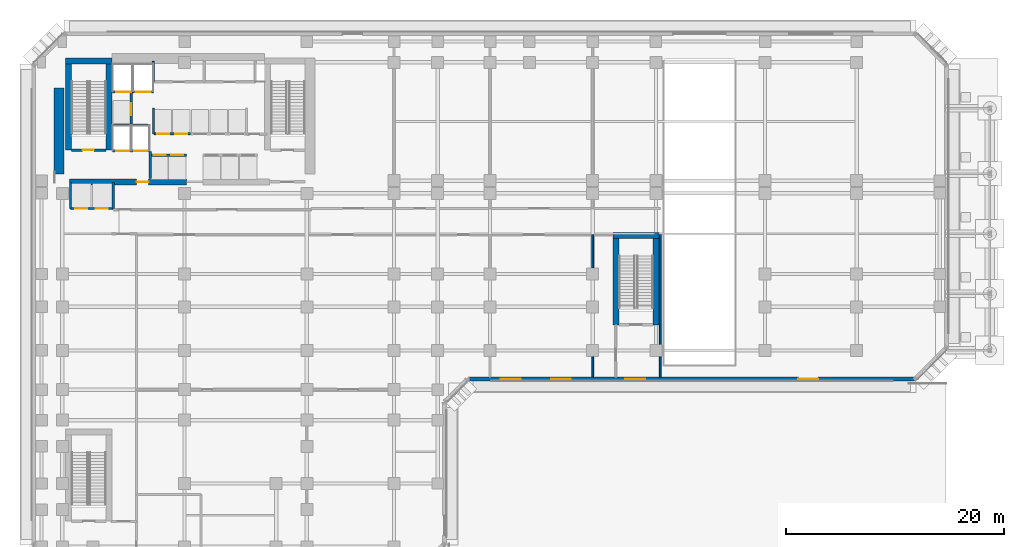
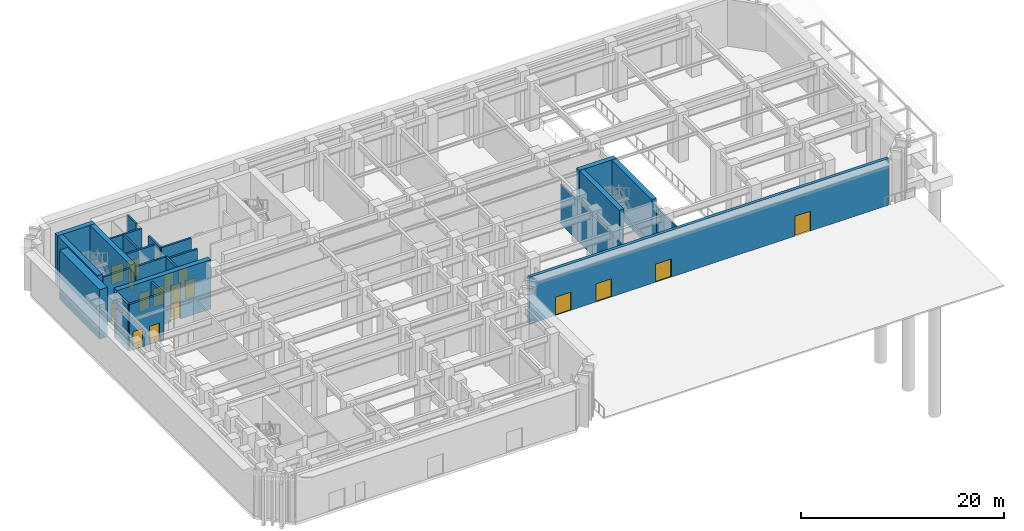
# One storey, part 8 of 18: 24 walls, 17 doors, 17 openings.
"""IFC4 building model written with IfcOpenShell, lengths in metres."""

from ifc_helpers import new_model, si_unit, direction, frame, frame_2d, origin, place, context, subcontext, project, spatial, rectangle, extrude, material, layer, layer_set, type_object, element, fill, save


model = new_model("IFC4")

# Units and contexts
model_context = context("Model", 3, precision=1e-05, world=origin(), true_north=direction((0.0, 1.0)))
body_context = subcontext(model_context, "Body", "Model", "MODEL_VIEW")
ifc_project = project(units=[si_unit("LENGTHUNIT", "METRE"), si_unit("AREAUNIT", "SQUARE_METRE"), si_unit("VOLUMEUNIT", "CUBIC_METRE"), si_unit("PLANEANGLEUNIT", "RADIAN"), si_unit("MASSUNIT", "GRAM", prefix="KILO")], contexts=[model_context])

# Site, building, storey
site_placement = place(None, origin())
site = spatial("IfcSite", under=ifc_project, at=site_placement, CompositionType="ELEMENT")
building_placement = place(site_placement, origin())
building = spatial("IfcBuilding", under=site, at=building_placement, Name="Kefirva Bronze Tower", CompositionType="ELEMENT")
storey_placement = place(building_placement, origin())
storey = spatial("IfcBuildingStorey", under=building, at=storey_placement, Name="L00", CompositionType="ELEMENT", Elevation=0.0)

# Wall, opening, door
ifc_material_1 = material(Name="Gypsum fireboard shaftwall")
ifc_layer_1 = layer(ifc_material_1, 0.219970703125, Name="Gypsum fireboard shaftwall")
ifc_layer_set_1 = layer_set([ifc_layer_1], Name="Gypsum fireboard shaftwall")
wall_type_1 = type_object("IfcWallType", Name="Fire-Rated Shaft Enclosure Wall 220mm", PredefinedType="PARTITIONING", material=ifc_layer_set_1)
wall_1_placement = place(storey_placement, frame((1.64990234375, 37.14990234375, 0.0), z_axis=(0.0, 0.0, 1.0), x_axis=(1.0, 0.0, 0.0)))
wall_1 = element("IfcWall", 1, at=wall_1_placement, inside=storey, type_object=wall_type_1, Name="L00 Partition W-L00-ST1S", PredefinedType="PARTITIONING", context=body_context, shape_type="SweptSolid", body=[
    extrude(rectangle(XDim=3.150146484375, YDim=0.219970703125, at=frame_2d((1.5751953125, 0.0))), origin(), (0.0, 0.0, 1.0), 5.6201171875),
])
opening_1_placement = place(wall_1_placement, frame((2.050048828125, 0.0, 0.0), z_axis=(0.0, 0.0, 1.0), x_axis=(-1.0, 0.0, 0.0)))
opening_1 = element("IfcOpeningElement", 2, at=opening_1_placement, cuts=wall_1, Name="Opening L00-D001", PredefinedType="OPENING", context=body_context, shape_type="SweptSolid", body=[
    extrude(rectangle(XDim=1.050048828125, YDim=2.14990234375, at=frame_2d((0.52490234375, 1.074951171875))), frame((0.0, 0.1201171875, 0.0), z_axis=(0.0, -1.0, 0.0), x_axis=(1.0, 0.0, 0.0)), (0.0, 0.0, 1.0), 0.239990234375),
])
ifc_material_2 = material(Name="Painted galvanized steel", Category="steel")
door_type_1 = type_object("IfcDoorType", Name="Fire Stair Enclosure Door 1050x2150 FD90S", OperationType="NOTDEFINED", PredefinedType="DOOR", material=ifc_material_2)
door_1_placement = place(opening_1_placement, origin())
door_1 = element("IfcDoor", 3, at=door_1_placement, inside=storey, type_object=door_type_1, Name="Door L00-D001", OperationType="SINGLE_SWING_RIGHT", OverallHeight=2.14990234375, OverallWidth=1.050048828125, PredefinedType="DOOR", context=body_context, shape_type="SweptSolid", body=[
    extrude(rectangle(XDim=1.050048828125, YDim=2.14990234375, at=frame_2d((0.52490234375, 1.074951171875))), frame((0.0, 0.02490234375, 0.0), z_axis=(0.0, -1.0, 0.0), x_axis=(1.0, 0.0, 0.0)), (0.0, 0.0, 1.0), 0.050048828125),
])
fill(opening_1, door_1)

# Wall, openings, doors
wall_2_placement = place(storey_placement, frame((5.3798828125, 37.080078125, 0.0), z_axis=(0.0, 0.0, 1.0), x_axis=(1.0, 0.0, 0.0)))
wall_2 = element("IfcWall", 4, at=wall_2_placement, inside=storey, type_object=wall_type_1, Name="L00 Partition W-L00-FFS", PredefinedType="PARTITIONING", context=body_context, shape_type="SweptSolid", body=[
    extrude(rectangle(XDim=3.460205078125, YDim=0.219970703125, at=frame_2d((1.72998046875, 0.0))), origin(), (0.0, 0.0, 1.0), 5.6201171875),
])
opening_2_placement = place(wall_2_placement, frame((1.550048828125, 0.0, 0.0), z_axis=(0.0, 0.0, 1.0), x_axis=(-1.0, 0.0, 0.0)))
opening_2 = element("IfcOpeningElement", 5, at=opening_2_placement, cuts=wall_2, Name="Opening L00-LD-FF1", PredefinedType="OPENING", context=body_context, shape_type="SweptSolid", body=[
    extrude(rectangle(XDim=1.199951171875, YDim=2.199951171875, at=frame_2d((0.60009765625, 1.10009765625))), frame((0.0, 0.1201171875, 0.0), z_axis=(0.0, -1.0, 0.0), x_axis=(1.0, 0.0, 0.0)), (0.0, 0.0, 1.0), 0.239990234375),
])
opening_3_placement = place(wall_2_placement, frame((3.219970703125, 0.0, 0.0), z_axis=(0.0, 0.0, 1.0), x_axis=(-1.0, 0.0, 0.0)))
opening_3 = element("IfcOpeningElement", 6, at=opening_3_placement, cuts=wall_2, Name="Opening L00-LD-FF2", PredefinedType="OPENING", context=body_context, shape_type="SweptSolid", body=[
    extrude(rectangle(XDim=1.199951171875, YDim=2.199951171875, at=frame_2d((0.60009765625, 1.10009765625))), frame((0.0, 0.1201171875, 0.0), z_axis=(0.0, -1.0, 0.0), x_axis=(1.0, 0.0, 0.0)), (0.0, 0.0, 1.0), 0.239990234375),
])
ifc_material_3 = material(Name="Stainless steel 316", Category="steel")
door_type_2 = type_object("IfcDoorType", Name="Firefighting Lift Sliding Door 1200x2200", OperationType="SLIDING_TO_RIGHT", PredefinedType="DOOR", material=ifc_material_3)
door_2_placement = place(opening_2_placement, origin())
door_2 = element("IfcDoor", 7, at=door_2_placement, inside=storey, type_object=door_type_2, Name="Door L00-LD-FF1", OperationType="SLIDING_TO_RIGHT", OverallHeight=2.199951171875, OverallWidth=1.199951171875, PredefinedType="DOOR", context=body_context, shape_type="SweptSolid", body=[
    extrude(rectangle(XDim=1.199951171875, YDim=2.199951171875, at=frame_2d((0.60009765625, 1.10009765625))), frame((0.0, 0.02490234375, 0.0), z_axis=(0.0, -1.0, 0.0), x_axis=(1.0, 0.0, 0.0)), (0.0, 0.0, 1.0), 0.050048828125),
])
fill(opening_2, door_2)
door_3_placement = place(opening_3_placement, origin())
door_3 = element("IfcDoor", 8, at=door_3_placement, inside=storey, type_object=door_type_2, Name="Door L00-LD-FF2", OperationType="SLIDING_TO_RIGHT", OverallHeight=2.199951171875, OverallWidth=1.199951171875, PredefinedType="DOOR", context=body_context, shape_type="SweptSolid", body=[
    extrude(rectangle(XDim=1.199951171875, YDim=2.199951171875, at=frame_2d((0.60009765625, 1.10009765625))), frame((0.0, 0.02490234375, 0.0), z_axis=(0.0, -1.0, 0.0), x_axis=(1.0, 0.0, 0.0)), (0.0, 0.0, 1.0), 0.050048828125),
])
fill(opening_3, door_3)

# Wall
wall_3_placement = place(storey_placement, frame((5.3798828125, 39.449951171875, 0.0), z_axis=(0.0, 0.0, 1.0), x_axis=(1.0, 0.0, 0.0)))
element("IfcWall", 9, at=wall_3_placement, inside=storey, type_object=wall_type_1, Name="L00 Partition W-L00-FFN", PredefinedType="PARTITIONING", context=body_context, shape_type="SweptSolid", body=[
    extrude(rectangle(XDim=3.460205078125, YDim=0.219970703125, at=frame_2d((1.72998046875, 0.0))), origin(), (0.0, 0.0, 1.0), 5.6201171875),
])

# Wall, openings, doors
wall_4_placement = place(storey_placement, frame((5.3798828125, 42.5, 0.0), z_axis=(0.0, 0.0, 1.0), x_axis=(1.0, 0.0, 0.0)))
wall_4 = element("IfcWall", 10, at=wall_4_placement, inside=storey, type_object=wall_type_1, Name="L00 Partition W-L00-SVS", PredefinedType="PARTITIONING", context=body_context, shape_type="SweptSolid", body=[
    extrude(rectangle(XDim=3.77001953125, YDim=0.219970703125, at=frame_2d((1.885009765625, 0.0))), origin(), (0.0, 0.0, 1.0), 5.6201171875),
])
opening_4_placement = place(wall_4_placement, frame((1.75, 0.0, 0.0), z_axis=(0.0, 0.0, 1.0), x_axis=(-1.0, 0.0, 0.0)))
opening_4 = element("IfcOpeningElement", 11, at=opening_4_placement, cuts=wall_4, Name="Opening L00-LD-SV1", PredefinedType="OPENING", context=body_context, shape_type="SweptSolid", body=[
    extrude(rectangle(XDim=1.39990234375, YDim=2.199951171875, at=frame_2d((0.699951171875, 1.10009765625))), frame((0.0, 0.1201171875, 0.0), z_axis=(0.0, -1.0, 0.0), x_axis=(1.0, 0.0, 0.0)), (0.0, 0.0, 1.0), 0.239990234375),
])
opening_5_placement = place(wall_4_placement, frame((3.52978515625, 0.0, 0.0), z_axis=(0.0, 0.0, 1.0), x_axis=(-1.0, 0.0, 0.0)))
opening_5 = element("IfcOpeningElement", 12, at=opening_5_placement, cuts=wall_4, Name="Opening L00-LD-SV2", PredefinedType="OPENING", context=body_context, shape_type="SweptSolid", body=[
    extrude(rectangle(XDim=1.39990234375, YDim=2.199951171875, at=frame_2d((0.699951171875, 1.10009765625))), frame((0.0, 0.1201171875, 0.0), z_axis=(0.0, -1.0, 0.0), x_axis=(1.0, 0.0, 0.0)), (0.0, 0.0, 1.0), 0.239990234375),
])
door_type_3 = type_object("IfcDoorType", Name="Goods Lift Bi-Parting Sliding Door 1400x2200", OperationType="SLIDING_TO_LEFT", PredefinedType="DOOR", material=ifc_material_3)
door_4_placement = place(opening_4_placement, origin())
door_4 = element("IfcDoor", 13, at=door_4_placement, inside=storey, type_object=door_type_3, Name="Door L00-LD-SV1", OperationType="SLIDING_TO_LEFT", OverallHeight=2.199951171875, OverallWidth=1.39990234375, PredefinedType="DOOR", context=body_context, shape_type="SweptSolid", body=[
    extrude(rectangle(XDim=1.39990234375, YDim=2.199951171875, at=frame_2d((0.699951171875, 1.10009765625))), frame((0.0, 0.02490234375, 0.0), z_axis=(0.0, -1.0, 0.0), x_axis=(1.0, 0.0, 0.0)), (0.0, 0.0, 1.0), 0.050048828125),
])
fill(opening_4, door_4)
door_5_placement = place(opening_5_placement, origin())
door_5 = element("IfcDoor", 14, at=door_5_placement, inside=storey, type_object=door_type_3, Name="Door L00-LD-SV2", OperationType="SLIDING_TO_LEFT", OverallHeight=2.199951171875, OverallWidth=1.39990234375, PredefinedType="DOOR", context=body_context, shape_type="SweptSolid", body=[
    extrude(rectangle(XDim=1.39990234375, YDim=2.199951171875, at=frame_2d((0.699951171875, 1.10009765625))), frame((0.0, 0.02490234375, 0.0), z_axis=(0.0, -1.0, 0.0), x_axis=(1.0, 0.0, 0.0)), (0.0, 0.0, 1.0), 0.050048828125),
])
fill(opening_5, door_5)

# Wall, opening, door
wall_5_placement = place(storey_placement, frame((7.10009765625, 39.52001953125, 0.0), z_axis=(0.0, 0.0, 1.0), x_axis=(0.0, 1.0, 0.0)))
wall_5 = element("IfcWall", 15, at=wall_5_placement, inside=storey, type_object=wall_type_1, Name="L00 Partition W-L00-HP3E", PredefinedType="PARTITIONING", context=body_context, shape_type="SweptSolid", body=[
    extrude(rectangle(XDim=2.929931640625, YDim=0.219970703125, at=frame_2d((1.46484375, 0.0))), origin(), (0.0, 0.0, 1.0), 5.6201171875),
])
opening_6_placement = place(wall_5_placement, frame((0.85009765625, 0.0, 0.0)))
opening_6 = element("IfcOpeningElement", 16, at=opening_6_placement, cuts=wall_5, Name="Opening L00-LD-HP3", PredefinedType="OPENING", context=body_context, shape_type="SweptSolid", body=[
    extrude(rectangle(XDim=1.10009765625, YDim=2.199951171875, at=frame_2d((0.550048828125, 1.10009765625))), frame((0.0, 0.1201171875, 0.0), z_axis=(0.0, -1.0, 0.0), x_axis=(1.0, 0.0, 0.0)), (0.0, 0.0, 1.0), 0.239990234375),
])
door_type_4 = type_object("IfcDoorType", Name="Passenger Lift Sliding Landing Door 1100x2200", OperationType="SLIDING_TO_LEFT", PredefinedType="DOOR", material=ifc_material_3)
door_6_placement = place(opening_6_placement, origin())
door_6 = element("IfcDoor", 17, at=door_6_placement, inside=storey, type_object=door_type_4, Name="Door L00-LD-HP3", OperationType="SLIDING_TO_LEFT", OverallHeight=2.199951171875, OverallWidth=1.10009765625, PredefinedType="DOOR", context=body_context, shape_type="SweptSolid", body=[
    extrude(rectangle(XDim=1.10009765625, YDim=2.199951171875, at=frame_2d((0.550048828125, 1.10009765625))), frame((0.0, 0.02490234375, 0.0), z_axis=(0.0, -1.0, 0.0), x_axis=(1.0, 0.0, 0.0)), (0.0, 0.0, 1.0), 0.050048828125),
])
fill(opening_6, door_6)

# Wall, openings, doors
wall_6_placement = place(storey_placement, frame((1.550048828125, 31.800048828125, 0.0), z_axis=(0.0, 0.0, 1.0), x_axis=(1.0, 0.0, 0.0)))
wall_6 = element("IfcWall", 18, at=wall_6_placement, inside=storey, type_object=wall_type_1, Name="L00 Partition W-L00-OBS", PredefinedType="PARTITIONING", context=body_context, shape_type="SweptSolid", body=[
    extrude(rectangle(XDim=3.89990234375, YDim=0.219970703125, at=frame_2d((1.949951171875, 0.0))), origin(), (0.0, 0.0, 1.0), 5.6201171875),
])
opening_7_placement = place(wall_6_placement, frame((1.52001953125, 0.0, 0.0), z_axis=(0.0, 0.0, 1.0), x_axis=(-1.0, 0.0, 0.0)))
opening_7 = element("IfcOpeningElement", 19, at=opening_7_placement, cuts=wall_6, Name="Opening L00-LD-OB1", PredefinedType="OPENING", context=body_context, shape_type="SweptSolid", body=[
    extrude(rectangle(XDim=1.10009765625, YDim=2.199951171875, at=frame_2d((0.550048828125, 1.10009765625))), frame((0.0, 0.1201171875, 0.0), z_axis=(0.0, -1.0, 0.0), x_axis=(1.0, 0.0, 0.0)), (0.0, 0.0, 1.0), 0.239990234375),
])
opening_8_placement = place(wall_6_placement, frame((3.420166015625, 0.0, 0.0), z_axis=(0.0, 0.0, 1.0), x_axis=(-1.0, 0.0, 0.0)))
opening_8 = element("IfcOpeningElement", 20, at=opening_8_placement, cuts=wall_6, Name="Opening L00-LD-OB2", PredefinedType="OPENING", context=body_context, shape_type="SweptSolid", body=[
    extrude(rectangle(XDim=1.10009765625, YDim=2.199951171875, at=frame_2d((0.550048828125, 1.10009765625))), frame((0.0, 0.1201171875, 0.0), z_axis=(0.0, -1.0, 0.0), x_axis=(1.0, 0.0, 0.0)), (0.0, 0.0, 1.0), 0.239990234375),
])
door_7_placement = place(opening_7_placement, origin())
door_7 = element("IfcDoor", 21, at=door_7_placement, inside=storey, type_object=door_type_4, Name="Door L00-LD-OB1", OperationType="SLIDING_TO_LEFT", OverallHeight=2.199951171875, OverallWidth=1.10009765625, PredefinedType="DOOR", context=body_context, shape_type="SweptSolid", body=[
    extrude(rectangle(XDim=1.10009765625, YDim=2.199951171875, at=frame_2d((0.550048828125, 1.10009765625))), frame((0.0, 0.02490234375, 0.0), z_axis=(0.0, -1.0, 0.0), x_axis=(1.0, 0.0, 0.0)), (0.0, 0.0, 1.0), 0.050048828125),
])
fill(opening_7, door_7)
door_8_placement = place(opening_8_placement, origin())
door_8 = element("IfcDoor", 22, at=door_8_placement, inside=storey, type_object=door_type_4, Name="Door L00-LD-OB2", OperationType="SLIDING_TO_LEFT", OverallHeight=2.199951171875, OverallWidth=1.10009765625, PredefinedType="DOOR", context=body_context, shape_type="SweptSolid", body=[
    extrude(rectangle(XDim=1.10009765625, YDim=2.199951171875, at=frame_2d((0.550048828125, 1.10009765625))), frame((0.0, 0.02490234375, 0.0), z_axis=(0.0, -1.0, 0.0), x_axis=(1.0, 0.0, 0.0)), (0.0, 0.0, 1.0), 0.050048828125),
])
fill(opening_8, door_8)

# Walls
for number, where, z_axis, x_axis, name in (
    (23, (1.550048828125, 31.800048828125, 0.0), (0.0, 0.0, 1.0), (0.0, 1.0, 0.0), "L00 Partition W-L00-OBW"),
    (24, (5.449951171875, 31.800048828125, 0.0), (0.0, 0.0, 1.0), (0.0, 1.0, 0.0), "L00 Partition W-L00-OBE"),
):
    element("IfcWall", number, at=place(storey_placement, frame(where, z_axis=z_axis, x_axis=x_axis)), inside=storey, type_object=wall_type_1, Name=name, PredefinedType="PARTITIONING", context=body_context, shape_type="SweptSolid", body=[
        extrude(rectangle(XDim=2.3798828125, YDim=0.219970703125, at=frame_2d((1.18994140625, 0.0))), origin(), (0.0, 0.0, 1.0), 5.6201171875),
    ])
wall_7_placement = place(storey_placement, frame((9.159912109375, 38.64990234375, 0.0), z_axis=(0.0, 0.0, 1.0), x_axis=(0.0, 1.0, 0.0)))
element("IfcWall", 25, at=wall_7_placement, inside=storey, type_object=wall_type_1, Name="L00 Partition W-L00-LP3W", PredefinedType="PARTITIONING", context=body_context, shape_type="SweptSolid", body=[
    extrude(rectangle(XDim=2.35009765625, YDim=0.199951171875, at=frame_2d((1.175048828125, 0.0))), origin(), (0.0, 0.0, 1.0), 5.6201171875),
])

# Wall, openings, doors
wall_8_placement = place(storey_placement, frame((8.89990234375, 36.699951171875, 0.0), z_axis=(0.0, 0.0, 1.0), x_axis=(1.0, 0.0, 0.0)))
wall_8 = element("IfcWall", 26, at=wall_8_placement, inside=storey, type_object=wall_type_1, Name="L00 Partition W-L00-LPS", PredefinedType="PARTITIONING", context=body_context, shape_type="SweptSolid", body=[
    extrude(rectangle(XDim=3.260009765625, YDim=0.219970703125, at=frame_2d((1.6298828125, 0.0))), origin(), (0.0, 0.0, 1.0), 5.6201171875),
])
opening_9_placement = place(wall_8_placement, frame((0.260009765625, 0.0, 0.0)))
opening_9 = element("IfcOpeningElement", 27, at=opening_9_placement, cuts=wall_8, Name="Opening L00-LD-LP1", PredefinedType="OPENING", context=body_context, shape_type="SweptSolid", body=[
    extrude(rectangle(XDim=1.10009765625, YDim=2.199951171875, at=frame_2d((0.550048828125, 1.10009765625))), frame((0.0, 0.1201171875, 0.0), z_axis=(0.0, -1.0, 0.0), x_axis=(1.0, 0.0, 0.0)), (0.0, 0.0, 1.0), 0.239990234375),
])
opening_10_placement = place(wall_8_placement, frame((1.8798828125, 0.0, 0.0)))
opening_10 = element("IfcOpeningElement", 28, at=opening_10_placement, cuts=wall_8, Name="Opening L00-LD-LP2", PredefinedType="OPENING", context=body_context, shape_type="SweptSolid", body=[
    extrude(rectangle(XDim=1.10009765625, YDim=2.199951171875, at=frame_2d((0.550048828125, 1.10009765625))), frame((0.0, 0.1201171875, 0.0), z_axis=(0.0, -1.0, 0.0), x_axis=(1.0, 0.0, 0.0)), (0.0, 0.0, 1.0), 0.239990234375),
])
door_9_placement = place(opening_9_placement, origin())
door_9 = element("IfcDoor", 29, at=door_9_placement, inside=storey, type_object=door_type_4, Name="Door L00-LD-LP1", OperationType="SLIDING_TO_LEFT", OverallHeight=2.199951171875, OverallWidth=1.10009765625, PredefinedType="DOOR", context=body_context, shape_type="SweptSolid", body=[
    extrude(rectangle(XDim=1.10009765625, YDim=2.199951171875, at=frame_2d((0.550048828125, 1.10009765625))), frame((0.0, 0.02490234375, 0.0), z_axis=(0.0, -1.0, 0.0), x_axis=(1.0, 0.0, 0.0)), (0.0, 0.0, 1.0), 0.050048828125),
])
fill(opening_9, door_9)
door_10_placement = place(opening_10_placement, origin())
door_10 = element("IfcDoor", 30, at=door_10_placement, inside=storey, type_object=door_type_4, Name="Door L00-LD-LP2", OperationType="SLIDING_TO_LEFT", OverallHeight=2.199951171875, OverallWidth=1.10009765625, PredefinedType="DOOR", context=body_context, shape_type="SweptSolid", body=[
    extrude(rectangle(XDim=1.10009765625, YDim=2.199951171875, at=frame_2d((0.550048828125, 1.10009765625))), frame((0.0, 0.02490234375, 0.0), z_axis=(0.0, -1.0, 0.0), x_axis=(1.0, 0.0, 0.0)), (0.0, 0.0, 1.0), 0.050048828125),
])
fill(opening_10, door_10)

wall_9_placement = place(storey_placement, frame((9.179931640625, 38.64990234375, 0.0), z_axis=(0.0, 0.0, 1.0), x_axis=(1.0, 0.0, 0.0)))
wall_9 = element("IfcWall", 31, at=wall_9_placement, inside=storey, type_object=wall_type_1, Name="L00 Partition W-L00-LPN", PredefinedType="PARTITIONING", context=body_context, shape_type="SweptSolid", body=[
    extrude(rectangle(XDim=3.380126953125, YDim=0.219970703125, at=frame_2d((1.68994140625, 0.0))), origin(), (0.0, 0.0, 1.0), 5.6201171875),
])
opening_11_placement = place(wall_9_placement, frame((0.300048828125, 0.0, 0.0)))
opening_11 = element("IfcOpeningElement", 32, at=opening_11_placement, cuts=wall_9, Name="Opening L00-LD-LP3", PredefinedType="OPENING", context=body_context, shape_type="SweptSolid", body=[
    extrude(rectangle(XDim=1.10009765625, YDim=2.199951171875, at=frame_2d((0.550048828125, 1.10009765625))), frame((0.0, 0.1201171875, 0.0), z_axis=(0.0, -1.0, 0.0), x_axis=(1.0, 0.0, 0.0)), (0.0, 0.0, 1.0), 0.239990234375),
])
opening_12_placement = place(wall_9_placement, frame((1.949951171875, 0.0, 0.0)))
opening_12 = element("IfcOpeningElement", 33, at=opening_12_placement, cuts=wall_9, Name="Opening L00-LD-LP4", PredefinedType="OPENING", context=body_context, shape_type="SweptSolid", body=[
    extrude(rectangle(XDim=1.10009765625, YDim=2.199951171875, at=frame_2d((0.550048828125, 1.10009765625))), frame((0.0, 0.1201171875, 0.0), z_axis=(0.0, -1.0, 0.0), x_axis=(1.0, 0.0, 0.0)), (0.0, 0.0, 1.0), 0.239990234375),
])
door_11_placement = place(opening_11_placement, origin())
door_11 = element("IfcDoor", 34, at=door_11_placement, inside=storey, type_object=door_type_4, Name="Door L00-LD-LP3", OperationType="SLIDING_TO_LEFT", OverallHeight=2.199951171875, OverallWidth=1.10009765625, PredefinedType="DOOR", context=body_context, shape_type="SweptSolid", body=[
    extrude(rectangle(XDim=1.10009765625, YDim=2.199951171875, at=frame_2d((0.550048828125, 1.10009765625))), frame((0.0, 0.02490234375, 0.0), z_axis=(0.0, -1.0, 0.0), x_axis=(1.0, 0.0, 0.0)), (0.0, 0.0, 1.0), 0.050048828125),
])
fill(opening_11, door_11)
door_12_placement = place(opening_12_placement, origin())
door_12 = element("IfcDoor", 35, at=door_12_placement, inside=storey, type_object=door_type_4, Name="Door L00-LD-LP4", OperationType="SLIDING_TO_LEFT", OverallHeight=2.199951171875, OverallWidth=1.10009765625, PredefinedType="DOOR", context=body_context, shape_type="SweptSolid", body=[
    extrude(rectangle(XDim=1.10009765625, YDim=2.199951171875, at=frame_2d((0.550048828125, 1.10009765625))), frame((0.0, 0.02490234375, 0.0), z_axis=(0.0, -1.0, 0.0), x_axis=(1.0, 0.0, 0.0)), (0.0, 0.0, 1.0), 0.050048828125),
])
fill(opening_12, door_12)

# Walls
ifc_material_4 = material(Name="Gypsum fireboard barrier")
ifc_layer_2 = layer(ifc_material_4, 0.199951171875, Name="Gypsum fireboard barrier")
ifc_layer_set_2 = layer_set([ifc_layer_2], Name="Gypsum fireboard barrier")
wall_type_2 = type_object("IfcWallType", Name="Firefighting Lobby Barrier Wall 200mm", PredefinedType="PARTITIONING", material=ifc_layer_set_2)
wall_10_placement = place(storey_placement, frame((8.860107421875, 34.550048828125, 0.0), z_axis=(0.0, 0.0, 1.0), x_axis=(0.0, 1.0, 0.0)))
element("IfcWall", 36, at=wall_10_placement, inside=storey, type_object=wall_type_2, Name="L00 Partition W-L00-FFLE", PredefinedType="PARTITIONING", context=body_context, shape_type="SweptSolid", body=[
    extrude(rectangle(XDim=2.5, YDim=0.199951171875, at=frame_2d((1.25, 0.0))), origin(), (0.0, 0.0, 1.0), 5.6201171875),
])
wall_11_placement = place(storey_placement, frame((55.60009765625, 16.360107421875, 0.0), z_axis=(0.0, 0.0, 1.0), x_axis=(0.0, 1.0, 0.0)))
element("IfcWall", 37, at=wall_11_placement, inside=storey, type_object=wall_type_2, Name="L00 Partition W-L00-ST4PE", PredefinedType="PARTITIONING", context=body_context, shape_type="SweptSolid", body=[
    extrude(rectangle(XDim=13.039794921875, YDim=0.159912109375, at=frame_2d((6.52001953125, 0.0))), origin(), (0.0, 0.0, 1.0), 4.804931640625),
])

# Wall, openings, doors
ifc_material_5 = material(Name="Precast concrete C40/50", Category="concrete")
ifc_layer_3 = layer(ifc_material_5, 0.360107421875, Name="Precast concrete C40/50")
ifc_layer_set_3 = layer_set([ifc_layer_3], Name="Precast concrete C40/50")
wall_type_3 = type_object("IfcWallType", Name="Precast Podium Facade Wall 360mm", PredefinedType="SOLIDWALL", material=ifc_layer_set_3)
wall_12_placement = place(storey_placement, frame((38.054931640625, 16.179931640625, 0.0), z_axis=(0.0, 0.0, 1.0), x_axis=(1.0, 0.0, 0.0)))
wall_12 = element("IfcWall", 38, at=wall_12_placement, inside=storey, type_object=wall_type_3, Name="L00 Exterior Facade Wall 5", PredefinedType="SOLIDWALL", context=body_context, shape_type="SweptSolid", body=[
    extrude(rectangle(XDim=40.89013671875, YDim=0.360107421875, at=frame_2d((20.445068359375, 0.0))), origin(), (0.0, 0.0, 1.0), 5.6201171875),
])
opening_13_placement = place(wall_12_placement, frame((4.7451171875, 0.0, 0.0), z_axis=(0.0, 0.0, 1.0), x_axis=(-1.0, 0.0, 0.0)))
opening_13 = element("IfcOpeningElement", 39, at=opening_13_placement, cuts=wall_12, Name="Opening D-EX2", PredefinedType="OPENING", context=body_context, shape_type="SweptSolid", body=[
    extrude(rectangle(XDim=1.800048828125, YDim=2.199951171875, at=frame_2d((0.89990234375, 1.10009765625))), frame((0.0, 0.18994140625, 0.0), z_axis=(0.0, -1.0, 0.0), x_axis=(1.0, 0.0, 0.0)), (0.0, 0.0, 1.0), 0.380126953125),
])
opening_14_placement = place(wall_12_placement, frame((9.344970703125, 0.0, 0.0), z_axis=(0.0, 0.0, 1.0), x_axis=(-1.0, 0.0, 0.0)))
opening_14 = element("IfcOpeningElement", 40, at=opening_14_placement, cuts=wall_12, Name="Opening D-EX2", PredefinedType="OPENING", context=body_context, shape_type="SweptSolid", body=[
    extrude(rectangle(XDim=1.800048828125, YDim=2.199951171875, at=frame_2d((0.89990234375, 1.10009765625))), frame((0.0, 0.18994140625, 0.0), z_axis=(0.0, -1.0, 0.0), x_axis=(1.0, 0.0, 0.0)), (0.0, 0.0, 1.0), 0.380126953125),
])
opening_15_placement = place(wall_12_placement, frame((16.14501953125, 0.0, 0.0), z_axis=(0.0, 0.0, 1.0), x_axis=(-1.0, 0.0, 0.0)))
opening_15 = element("IfcOpeningElement", 41, at=opening_15_placement, cuts=wall_12, Name="Opening D-EX2", PredefinedType="OPENING", context=body_context, shape_type="SweptSolid", body=[
    extrude(rectangle(XDim=1.800048828125, YDim=2.199951171875, at=frame_2d((0.89990234375, 1.10009765625))), frame((0.0, 0.18994140625, 0.0), z_axis=(0.0, -1.0, 0.0), x_axis=(1.0, 0.0, 0.0)), (0.0, 0.0, 1.0), 0.380126953125),
])
opening_16_placement = place(wall_12_placement, frame((32.0, 0.0, 0.0), z_axis=(0.0, 0.0, 1.0), x_axis=(-1.0, 0.0, 0.0)))
opening_16 = element("IfcOpeningElement", 42, at=opening_16_placement, cuts=wall_12, Name="Opening D-EX1", PredefinedType="OPENING", context=body_context, shape_type="SweptSolid", body=[
    extrude(rectangle(XDim=1.800048828125, YDim=2.39990234375, at=frame_2d((0.89990234375, 1.199951171875))), frame((0.0, 0.18994140625, 0.0), z_axis=(0.0, -1.0, 0.0), x_axis=(1.0, 0.0, 0.0)), (0.0, 0.0, 1.0), 0.380126953125),
])
ifc_material_6 = material(Name="Bronze anodised aluminium", Category="aluminium")
door_type_5 = type_object("IfcDoorType", Name="Exterior Ground Stair Discharge Door 1800x2200", OperationType="DOUBLE_DOOR_SINGLE_SWING", PredefinedType="DOOR", material=ifc_material_6)
door_13_placement = place(opening_13_placement, origin())
door_13 = element("IfcDoor", 43, at=door_13_placement, inside=storey, type_object=door_type_5, Name="L00 Rear Core Plaza Discharge Door 1", OperationType="DOUBLE_DOOR_SINGLE_SWING", OverallHeight=2.199951171875, OverallWidth=1.800048828125, PredefinedType="DOOR", context=body_context, shape_type="SweptSolid", body=[
    extrude(rectangle(XDim=1.800048828125, YDim=2.199951171875, at=frame_2d((0.89990234375, 1.10009765625))), frame((0.0, 0.02490234375, 0.0), z_axis=(0.0, -1.0, 0.0), x_axis=(1.0, 0.0, 0.0)), (0.0, 0.0, 1.0), 0.050048828125),
])
fill(opening_13, door_13)
door_14_placement = place(opening_14_placement, origin())
door_14 = element("IfcDoor", 44, at=door_14_placement, inside=storey, type_object=door_type_5, Name="L00 Rear Core Plaza Discharge Door 2", OperationType="DOUBLE_DOOR_SINGLE_SWING", OverallHeight=2.199951171875, OverallWidth=1.800048828125, PredefinedType="DOOR", context=body_context, shape_type="SweptSolid", body=[
    extrude(rectangle(XDim=1.800048828125, YDim=2.199951171875, at=frame_2d((0.89990234375, 1.10009765625))), frame((0.0, 0.02490234375, 0.0), z_axis=(0.0, -1.0, 0.0), x_axis=(1.0, 0.0, 0.0)), (0.0, 0.0, 1.0), 0.050048828125),
])
fill(opening_14, door_14)
door_15_placement = place(opening_15_placement, origin())
door_15 = element("IfcDoor", 45, at=door_15_placement, inside=storey, type_object=door_type_5, Name="L00 Stair 4 Direct Exterior Exit Door", OperationType="DOUBLE_DOOR_SINGLE_SWING", OverallHeight=2.199951171875, OverallWidth=1.800048828125, PredefinedType="DOOR", context=body_context, shape_type="SweptSolid", body=[
    extrude(rectangle(XDim=1.800048828125, YDim=2.199951171875, at=frame_2d((0.89990234375, 1.10009765625))), frame((0.0, 0.02490234375, 0.0), z_axis=(0.0, -1.0, 0.0), x_axis=(1.0, 0.0, 0.0)), (0.0, 0.0, 1.0), 0.050048828125),
])
fill(opening_15, door_15)
door_type_6 = type_object("IfcDoorType", Name="Exterior Plaza Double Entrance Door 1800x2400", OperationType="DOUBLE_DOOR_SINGLE_SWING", PredefinedType="DOOR", material=ifc_material_6)
door_16_placement = place(opening_16_placement, origin())
door_16 = element("IfcDoor", 46, at=door_16_placement, inside=storey, type_object=door_type_6, Name="L00 Visitor Gallery Plaza Door 4", OperationType="DOUBLE_DOOR_SINGLE_SWING", OverallHeight=2.39990234375, OverallWidth=1.800048828125, PredefinedType="DOOR", context=body_context, shape_type="SweptSolid", body=[
    extrude(rectangle(XDim=1.800048828125, YDim=2.39990234375, at=frame_2d((0.89990234375, 1.199951171875))), frame((0.0, 0.02490234375, 0.0), z_axis=(0.0, -1.0, 0.0), x_axis=(1.0, 0.0, 0.0)), (0.0, 0.0, 1.0), 0.050048828125),
])
fill(opening_16, door_16)

# Walls
ifc_material_7 = material(Name="Gypsum acoustic partition")
ifc_layer_4 = layer(ifc_material_7, 0.159912109375, Name="Gypsum acoustic partition")
ifc_layer_set_4 = layer_set([ifc_layer_4], Name="Gypsum acoustic partition")
wall_type_4 = type_object("IfcWallType", Name="Protected Corridor Partition 160mm", PredefinedType="PARTITIONING", material=ifc_layer_set_4)
wall_13_placement = place(storey_placement, frame((49.39990234375, 16.360107421875, 0.0), z_axis=(0.0, 0.0, 1.0), x_axis=(0.0, 1.0, 0.0)))
element("IfcWall", 47, at=wall_13_placement, inside=storey, type_object=wall_type_4, Name="L00 Partition W-L00-VISE", PredefinedType="PARTITIONING", context=body_context, shape_type="SweptSolid", body=[
    extrude(rectangle(XDim=13.039794921875, YDim=0.159912109375, at=frame_2d((6.52001953125, 0.0))), origin(), (0.0, 0.0, 1.0), 4.804931640625),
])
ifc_material_8 = material(Name="Concrete C50/60", Category="concrete")
ifc_layer_5 = layer(ifc_material_8, 0.550048828125, Name="Concrete C50/60")
ifc_layer_set_5 = layer_set([ifc_layer_5], Name="Concrete C50/60")
wall_type_5 = type_object("IfcWallType", Name="RC Rear Core Interior Wall 550mm", PredefinedType="SHEAR", material=ifc_layer_set_5)
for number, where, z_axis, x_axis, name in (
    (48, (1.3701171875, 37.14990234375, 0.0), (0.0, 0.0, 1.0), (0.0, 1.0, 0.0), "L00 Stair 1 West Shear Wall"),
    (49, (5.070068359375, 37.14990234375, 0.0), (0.0, 0.0, 1.0), (0.0, 1.0, 0.0), "L00 Stair 1 East Shear Wall"),
):
    element("IfcWall", number, at=place(storey_placement, frame(where, z_axis=z_axis, x_axis=x_axis)), inside=storey, type_object=wall_type_5, Name=name, PredefinedType="SHEAR", context=body_context, shape_type="SweptSolid", body=[
        extrude(rectangle(XDim=7.89013671875, YDim=0.550048828125, at=frame_2d((3.945068359375, 0.0))), origin(), (0.0, 0.0, 1.0), 5.93994140625),
    ])
wall_14_placement = place(storey_placement, frame((1.10009765625, 45.320068359375, 0.0), z_axis=(0.0, 0.0, 1.0), x_axis=(1.0, 0.0, 0.0)))
element("IfcWall", 50, at=wall_14_placement, inside=storey, type_object=wall_type_5, Name="L00 Stair 1 North Shear Wall", PredefinedType="SHEAR", context=body_context, shape_type="SweptSolid", body=[
    extrude(rectangle(XDim=4.239990234375, YDim=0.550048828125, at=frame_2d((2.1201171875, 0.0))), origin(), (0.0, 0.0, 1.0), 5.93994140625),
])
for number, where, z_axis, x_axis, name in (
    (51, (51.52001953125, 21.14990234375, 0.0), (0.0, 0.0, 1.0), (0.0, 1.0, 0.0), "L00 Stair 4 West Shear Wall"),
    (52, (55.219970703125, 21.14990234375, 0.0), (0.0, 0.0, 1.0), (0.0, 1.0, 0.0), "L00 Stair 4 East Shear Wall"),
):
    element("IfcWall", number, at=place(storey_placement, frame(where, z_axis=z_axis, x_axis=x_axis)), inside=storey, type_object=wall_type_5, Name=name, PredefinedType="SHEAR", context=body_context, shape_type="SweptSolid", body=[
        extrude(rectangle(XDim=7.89013671875, YDim=0.550048828125, at=frame_2d((3.945068359375, 0.0))), origin(), (0.0, 0.0, 1.0), 5.93994140625),
    ])
wall_15_placement = place(storey_placement, frame((51.25, 29.320068359375, 0.0), z_axis=(0.0, 0.0, 1.0), x_axis=(1.0, 0.0, 0.0)))
element("IfcWall", 53, at=wall_15_placement, inside=storey, type_object=wall_type_5, Name="L00 Stair 4 North Shear Wall", PredefinedType="SHEAR", context=body_context, shape_type="SweptSolid", body=[
    extrude(rectangle(XDim=4.239990234375, YDim=0.550048828125, at=frame_2d((2.1201171875, 0.0))), origin(), (0.0, 0.0, 1.0), 5.93994140625),
])
ifc_material_9 = material(Name="Concrete C60/75", Category="concrete")
ifc_layer_6 = layer(ifc_material_9, 0.89990234375, Name="Concrete C60/75")
ifc_layer_set_6 = layer_set([ifc_layer_6], Name="Concrete C60/75")
wall_type_6 = type_object("IfcWallType", Name="RC Rear Core Interior Wall 900mm", PredefinedType="SHEAR", material=ifc_layer_set_6)
wall_16_placement = place(storey_placement, frame((0.5, 34.949951171875, 0.0), z_axis=(0.0, 0.0, 1.0), x_axis=(0.0, 1.0, 0.0)))
element("IfcWall", 54, at=wall_16_placement, inside=storey, type_object=wall_type_6, Name="L00 Rear Core West Shear Wall", PredefinedType="SHEAR", context=body_context, shape_type="SweptSolid", body=[
    extrude(rectangle(XDim=7.900146484375, YDim=0.89990234375, at=frame_2d((3.9501953125, 0.0))), origin(), (0.0, 0.0, 1.0), 5.93994140625),
])

# Wall, opening, door
wall_17_placement = place(storey_placement, frame((1.449951171875, 34.25, 0.0), z_axis=(0.0, 0.0, 1.0), x_axis=(1.0, 0.0, 0.0)))
wall_17 = element("IfcWall", 55, at=wall_17_placement, inside=storey, type_object=wall_type_6, Name="L00 Rear Core South-West Shear Wall", PredefinedType="SHEAR", context=body_context, shape_type="SweptSolid", body=[
    extrude(rectangle(XDim=10.7099609375, YDim=0.550048828125, at=frame_2d((5.35498046875, 0.0))), origin(), (0.0, 0.0, 1.0), 5.93994140625),
])
opening_17_placement = place(wall_17_placement, frame((7.25, 0.0, 0.0), z_axis=(0.0, 0.0, 1.0), x_axis=(-1.0, 0.0, 0.0)))
opening_17 = element("IfcOpeningElement", 56, at=opening_17_placement, cuts=wall_17, Name="Opening L00-D002", PredefinedType="OPENING", context=body_context, shape_type="SweptSolid", body=[
    extrude(rectangle(XDim=1.10009765625, YDim=2.14990234375, at=frame_2d((0.550048828125, 1.074951171875))), frame((0.0, 0.28515625, 0.0), z_axis=(0.0, -1.0, 0.0), x_axis=(1.0, 0.0, 0.0)), (0.0, 0.0, 1.0), 0.570068359375),
])
door_type_7 = type_object("IfcDoorType", Name="Firefighting Lobby Smoke Door 1100x2150 FD60S", OperationType="NOTDEFINED", PredefinedType="DOOR", material=ifc_material_2)
door_17_placement = place(opening_17_placement, origin())
door_17 = element("IfcDoor", 57, at=door_17_placement, inside=storey, type_object=door_type_7, Name="Door L00-D002", OperationType="SINGLE_SWING_LEFT", OverallHeight=2.14990234375, OverallWidth=1.10009765625, PredefinedType="DOOR", context=body_context, shape_type="SweptSolid", body=[
    extrude(rectangle(XDim=1.10009765625, YDim=2.14990234375, at=frame_2d((0.550048828125, 1.074951171875))), frame((0.0, 0.02490234375, 0.0), z_axis=(0.0, -1.0, 0.0), x_axis=(1.0, 0.0, 0.0)), (0.0, 0.0, 1.0), 0.050048828125),
])
fill(opening_17, door_17)

# Wall
ifc_material_10 = material(Name="Moisture-resistant partition")
ifc_layer_7 = layer(ifc_material_10, 0.179931640625, Name="Moisture-resistant partition")
ifc_layer_set_7 = layer_set([ifc_layer_7], Name="Moisture-resistant partition")
wall_type_7 = type_object("IfcWallType", Name="Sanitary Plumbing Chase Wall 180mm", PredefinedType="PLUMBINGWALL", material=ifc_layer_set_7)
wall_18_placement = place(storey_placement, frame((9.14990234375, 43.39990234375, 0.0), z_axis=(0.0, 0.0, 1.0), x_axis=(0.0, 1.0, 0.0)))
element("IfcWall", 58, at=wall_18_placement, inside=storey, type_object=wall_type_7, Name="L00 Partition W-L00-SVCW", PredefinedType="PLUMBINGWALL", context=body_context, shape_type="SweptSolid", body=[
    extrude(rectangle(XDim=1.880126953125, YDim=0.179931640625, at=frame_2d((0.93994140625, 0.0))), origin(), (0.0, 0.0, 1.0), 5.6201171875),
])

save(model, "model.ifc")
